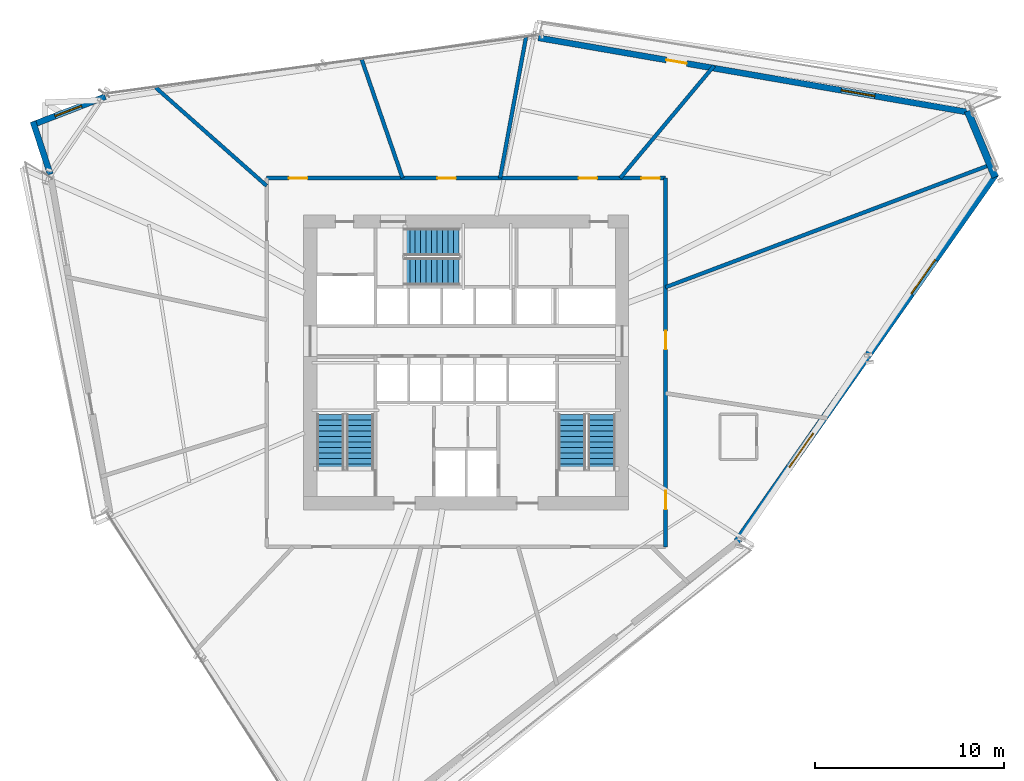
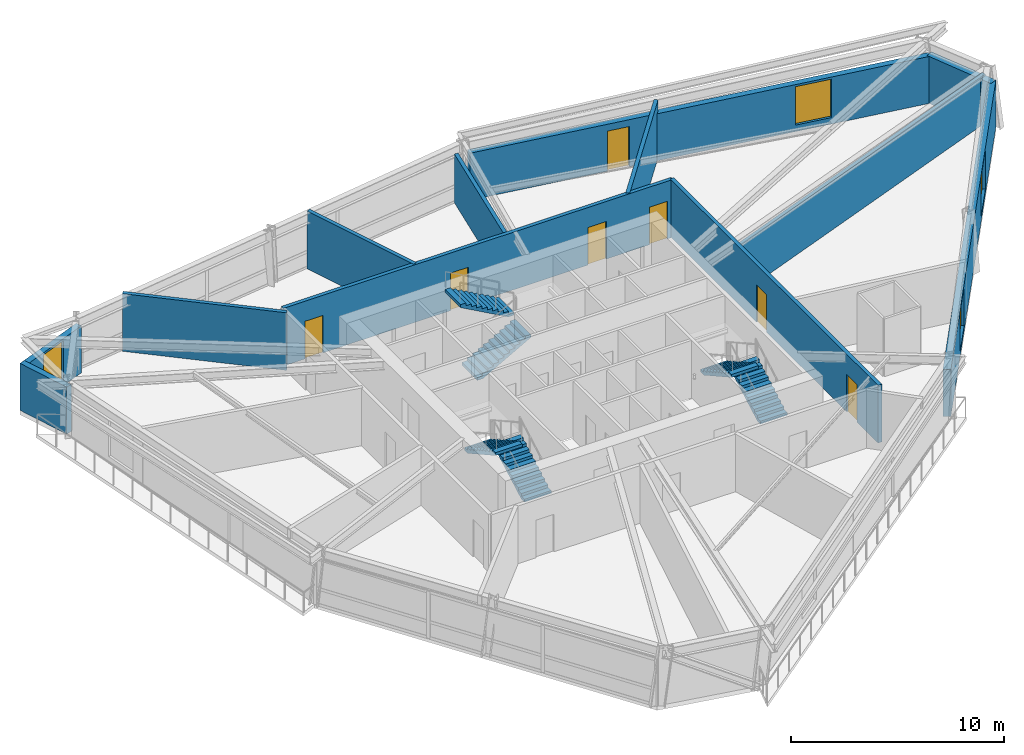
# One storey, part 13 of 16: 12 walls, 7 doors, 6 stair flights, 4 windows, 11 openings, 3 elements without a shape of their own.
"""IFC4 building model written with IfcOpenShell, lengths in metres."""

from ifc_helpers import new_model, si_unit, direction, frame, frame_2d, origin, place, context, subcontext, project, spatial, polyline, rectangle, outline, extrude, source, transform, mapped, material, layer, layer_set, type_object, type_shapes, element, fill, aggregate, save


model = new_model("IFC4")

# Units and contexts
model_context = context("Model", 3, precision=1e-05, world=origin(), true_north=direction((0.0, 1.0)))
body_context = subcontext(model_context, "Body", "Model", "MODEL_VIEW")
ifc_project = project(units=[si_unit("LENGTHUNIT", "METRE"), si_unit("AREAUNIT", "SQUARE_METRE"), si_unit("VOLUMEUNIT", "CUBIC_METRE"), si_unit("PLANEANGLEUNIT", "RADIAN"), si_unit("MASSUNIT", "GRAM", prefix="KILO")], contexts=[model_context])

# Site, building, storey
site_placement = place(None, origin())
site = spatial("IfcSite", under=ifc_project, at=site_placement, CompositionType="ELEMENT")
building_placement = place(site_placement, origin())
building = spatial("IfcBuilding", under=site, at=building_placement, Name="Olszyna Solenne Hotel", CompositionType="ELEMENT")
storey_placement = place(building_placement, frame((0.0, 0.0, 127.0)))
storey = spatial("IfcBuildingStorey", under=building, at=storey_placement, Name="L33", CompositionType="ELEMENT", Elevation=127.0)

# Wall
ifc_material_1 = material(Name="Precast concrete C45/55", Category="concrete")
ifc_layer_1 = layer(ifc_material_1, 0.320068359375, Name="Precast concrete C45/55")
ifc_layer_set_1 = layer_set([ifc_layer_1], Name="Precast concrete C45/55")
wall_type_1 = type_object("IfcWallType", Name="WL-EX320", PredefinedType="SOLIDWALL", material=ifc_layer_set_1)
wall_1_placement = place(storey_placement, frame((16.0087890625, 36.552001953125, 0.0), z_axis=(0.0, 0.0, 1.0), x_axis=(-0.313681912959, 0.949528123587, 0.0)))
element("IfcWall", 1, at=wall_1_placement, inside=storey, type_object=wall_type_1, Name="Exterior terracotta-precast frame wall WL-EX320 EW-L33-05", PredefinedType="SOLIDWALL", context=body_context, shape_type="SweptSolid", body=[
    extrude(rectangle(XDim=2.935791015625, YDim=0.320068359375, at=frame_2d((1.4677734375, 0.0))), origin(), (0.0, 0.0, 1.0), 2.69189453125),
])

# Wall, opening, window
wall_2_placement = place(storey_placement, frame((14.993896484375, 39.140380859375, 0.0), z_axis=(0.0, 0.0, 1.0), x_axis=(0.932586996551, 0.360945278212, 0.0)))
wall_2 = element("IfcWall", 2, at=wall_2_placement, inside=storey, type_object=wall_type_1, Name="Exterior terracotta-precast frame wall WL-EX320 EW-L33-06", PredefinedType="SOLIDWALL", context=body_context, shape_type="SweptSolid", body=[
    extrude(rectangle(XDim=4.20849609375, YDim=0.320068359375, at=frame_2d((2.104248046875, 0.0))), origin(), (0.0, 0.0, 1.0), 2.69189453125),
])
opening_1_placement = place(wall_2_placement, frame((1.35400390625, 0.0, 0.27197265625)))
opening_1 = element("IfcOpeningElement", 3, at=opening_1_placement, cuts=wall_2, Name="Opening WN-L33-192", PredefinedType="OPENING", context=body_context, shape_type="SweptSolid", body=[
    extrude(rectangle(XDim=1.5, YDim=2.300048828125, at=frame_2d((0.75, 1.14990234375))), frame((0.0, 0.169921875, 0.0), z_axis=(0.0, -1.0, 0.0), x_axis=(1.0, 0.0, 0.0)), (0.0, 0.0, 1.0), 0.340087890625),
])
ifc_material_2 = material(Name="Low-E triple glazing", Category="glass")
window_type_1 = type_object("IfcWindowType", Name="WN-CH1", PartitioningType="SINGLE_PANEL", PredefinedType="WINDOW", material=ifc_material_2)
shared_shape_1 = source(origin(), body_context, "Body", "SweptSolid", [
    extrude(rectangle(XDim=1.5, YDim=2.300048828125, at=frame_2d((0.75, 1.14990234375))), frame((0.0, 0.030029296875, 0.0), z_axis=(0.0, -1.0, 0.0), x_axis=(1.0, 0.0, 0.0)), (0.0, 0.0, 1.0), 0.06005859375),
])
type_shapes(window_type_1, [shared_shape_1])
window_1_placement = place(opening_1_placement, origin())
window_1 = element("IfcWindow", 4, at=window_1_placement, inside=storey, type_object=window_type_1, Name="Exterior facade window WN-CH1 WN-L33-192", OverallHeight=2.300048828125, OverallWidth=1.5, PartitioningType="SINGLE_PANEL", PredefinedType="WINDOW", context=body_context, shape_type="MappedRepresentation", body=[
    mapped(shared_shape_1, transform((0.0, 0.0, 0.0), x_axis=(1.0, 0.0, 0.0), y_axis=(0.0, 1.0, 0.0), z_axis=(0.0, 0.0, 1.0), scale=1.0)),
])
fill(opening_1, window_1)

# Wall, openings, door, window
wall_3_placement = place(storey_placement, frame((41.8203125, 43.770751953125, 0.0), z_axis=(0.0, 0.0, 1.0), x_axis=(0.98534400913, -0.170578966088, 0.0)))
wall_3 = element("IfcWall", 5, at=wall_3_placement, inside=storey, type_object=wall_type_1, Name="Exterior terracotta-precast frame wall WL-EX320 EW-L33-08", PredefinedType="SOLIDWALL", context=body_context, shape_type="SweptSolid", body=[
    extrude(rectangle(XDim=23.19775390625, YDim=0.320068359375, at=frame_2d((11.598876953125, 0.0))), origin(), (0.0, 0.0, 1.0), 2.69189453125),
])
opening_2_placement = place(wall_3_placement, frame((6.873046875, 0.0, 0.0)))
opening_2 = element("IfcOpeningElement", 6, at=opening_2_placement, cuts=wall_3, Name="Opening LDG-L33-1", PredefinedType="OPENING", context=body_context, shape_type="SweptSolid", body=[
    extrude(rectangle(XDim=1.10009765625, YDim=2.300048828125, at=frame_2d((0.550048828125, 1.14990234375))), frame((0.0, 0.169921875, 0.0), z_axis=(0.0, -1.0, 0.0), x_axis=(1.0, 0.0, 0.0)), (0.0, 0.0, 1.0), 0.340087890625),
])
opening_3_placement = place(wall_3_placement, frame((16.26611328125, 0.0, 0.3720703125)))
opening_3 = element("IfcOpeningElement", 7, at=opening_3_placement, cuts=wall_3, Name="Opening WN-L33-193", PredefinedType="OPENING", context=body_context, shape_type="SweptSolid", body=[
    extrude(rectangle(XDim=1.800048828125, YDim=2.199951171875, at=frame_2d((0.89990234375, 1.10009765625))), frame((0.0, 0.169921875, 0.0), z_axis=(0.0, -1.0, 0.0), x_axis=(1.0, 0.0, 0.0)), (0.0, 0.0, 1.0), 0.340087890625),
])
ifc_material_3 = material(Name="Anodised bronze aluminium", Category="aluminium")
door_type_1 = type_object("IfcDoorType", Name="DR-LG1", OperationType="NOTDEFINED", PredefinedType="DOOR", material=ifc_material_3)
shared_shape_2 = source(origin(), body_context, "Body", "SweptSolid", [
    extrude(rectangle(XDim=1.10009765625, YDim=2.300048828125, at=frame_2d((0.550048828125, 1.14990234375))), frame((0.0, 0.02490234375, 0.0), z_axis=(0.0, -1.0, 0.0), x_axis=(1.0, 0.0, 0.0)), (0.0, 0.0, 1.0), 0.050048828125),
])
type_shapes(door_type_1, [shared_shape_2])
door_1_placement = place(opening_2_placement, origin())
door_1 = element("IfcDoor", 8, at=door_1_placement, inside=storey, type_object=door_type_1, Name="Exterior loggia balcony door DR-LG1 LDG-L33-1", OperationType="SINGLE_SWING_LEFT", OverallHeight=2.300048828125, OverallWidth=1.10009765625, PredefinedType="DOOR", context=body_context, shape_type="MappedRepresentation", body=[
    mapped(shared_shape_2, transform((0.0, 0.0, 0.0), x_axis=(1.0, 0.0, 0.0), y_axis=(0.0, 1.0, 0.0), z_axis=(0.0, 0.0, 1.0), scale=1.0)),
])
fill(opening_2, door_1)
window_type_2 = type_object("IfcWindowType", Name="WN-HT1", PartitioningType="SINGLE_PANEL", PredefinedType="WINDOW", material=ifc_material_2)
shared_shape_3 = source(origin(), body_context, "Body", "SweptSolid", [
    extrude(rectangle(XDim=1.800048828125, YDim=2.199951171875, at=frame_2d((0.89990234375, 1.10009765625))), frame((0.0, 0.030029296875, 0.0), z_axis=(0.0, -1.0, 0.0), x_axis=(1.0, 0.0, 0.0)), (0.0, 0.0, 1.0), 0.06005859375),
])
type_shapes(window_type_2, [shared_shape_3])
window_2_placement = place(opening_3_placement, origin())
window_2 = element("IfcWindow", 9, at=window_2_placement, inside=storey, type_object=window_type_2, Name="Loggia room window WN-HT1 WN-L33-193", OverallHeight=2.199951171875, OverallWidth=1.800048828125, PartitioningType="SINGLE_PANEL", PredefinedType="WINDOW", context=body_context, shape_type="MappedRepresentation", body=[
    mapped(shared_shape_3, transform((0.0, 0.0, 0.0), x_axis=(1.0, 0.0, 0.0), y_axis=(0.0, 1.0, 0.0), z_axis=(0.0, 0.0, 1.0), scale=1.0)),
])
fill(opening_3, window_2)

# Wall
ifc_material_4 = material(Name="Terracotta cladding on precast concrete C45/55", Category="masonry")
ifc_layer_2 = layer(ifc_material_4, 0.3798828125, Name="Terracotta cladding on precast concrete C45/55")
ifc_layer_set_2 = layer_set([ifc_layer_2], Name="Terracotta cladding on precast concrete C45/55")
wall_type_2 = type_object("IfcWallType", Name="WL-EX380", PredefinedType="SOLIDWALL", material=ifc_layer_set_2)
wall_4_placement = place(storey_placement, frame((64.52978515625, 39.898193359375, 0.0), z_axis=(0.0, 0.0, 1.0), x_axis=(0.38513691565, -0.92285944553, 0.0)))
element("IfcWall", 10, at=wall_4_placement, inside=storey, type_object=wall_type_2, Name="Exterior terracotta-precast frame wall WL-EX380 EW-L33-09", PredefinedType="SOLIDWALL", context=body_context, shape_type="SweptSolid", body=[
    extrude(rectangle(XDim=3.788818359375, YDim=0.3798828125, at=frame_2d((1.89453125, 0.0))), origin(), (0.0, 0.0, 1.0), 2.69189453125),
])

# Wall, openings, windows
wall_5_placement = place(storey_placement, frame((66.0087890625, 36.583984375, 0.0), z_axis=(0.0, 0.0, 1.0), x_axis=(-0.574933262146, -0.818200308041, 0.0)))
wall_5 = element("IfcWall", 11, at=wall_5_placement, inside=storey, type_object=wall_type_2, Name="Exterior terracotta-precast frame wall WL-EX380 EW-L33-10", PredefinedType="SOLIDWALL", context=body_context, shape_type="SweptSolid", body=[
    extrude(rectangle(XDim=23.7900390625, YDim=0.3798828125, at=frame_2d((11.89501953125, 0.0))), origin(), (0.0, 0.0, 1.0), 2.69189453125),
])
opening_4_placement = place(wall_5_placement, frame((5.56103515625, 0.0, 0.322021484375)))
opening_4 = element("IfcOpeningElement", 12, at=opening_4_placement, cuts=wall_5, Name="Opening WN-L33-194", PredefinedType="OPENING", context=body_context, shape_type="SweptSolid", body=[
    extrude(rectangle(XDim=2.199951171875, YDim=2.25, at=frame_2d((1.10009765625, 1.125))), frame((0.0, 0.199951171875, 0.0), z_axis=(0.0, -1.0, 0.0), x_axis=(1.0, 0.0, 0.0)), (0.0, 0.0, 1.0), 0.39990234375),
])
opening_5_placement = place(wall_5_placement, frame((16.779052734375, 0.0, 0.322021484375)))
opening_5 = element("IfcOpeningElement", 13, at=opening_5_placement, cuts=wall_5, Name="Opening WN-L33-195", PredefinedType="OPENING", context=body_context, shape_type="SweptSolid", body=[
    extrude(rectangle(XDim=2.199951171875, YDim=2.25, at=frame_2d((1.10009765625, 1.125))), frame((0.0, 0.199951171875, 0.0), z_axis=(0.0, -1.0, 0.0), x_axis=(1.0, 0.0, 0.0)), (0.0, 0.0, 1.0), 0.39990234375),
])
window_type_3 = type_object("IfcWindowType", Name="WN-HT2", PartitioningType="SINGLE_PANEL", PredefinedType="WINDOW", material=ifc_material_2)
shared_shape_4 = source(origin(), body_context, "Body", "SweptSolid", [
    extrude(rectangle(XDim=2.199951171875, YDim=2.25, at=frame_2d((1.10009765625, 1.125))), frame((0.0, 0.030029296875, 0.0), z_axis=(0.0, -1.0, 0.0), x_axis=(1.0, 0.0, 0.0)), (0.0, 0.0, 1.0), 0.06005859375),
])
type_shapes(window_type_3, [shared_shape_4])
window_3_placement = place(opening_4_placement, origin())
window_3 = element("IfcWindow", 14, at=window_3_placement, inside=storey, type_object=window_type_3, Name="Exterior facade window WN-HT2 WN-L33-194", OverallHeight=2.25, OverallWidth=2.199951171875, PartitioningType="SINGLE_PANEL", PredefinedType="WINDOW", context=body_context, shape_type="MappedRepresentation", body=[
    mapped(shared_shape_4, transform((0.0, 0.0, 0.0), x_axis=(1.0, 0.0, 0.0), y_axis=(0.0, 1.0, 0.0), z_axis=(0.0, 0.0, 1.0), scale=1.0)),
])
fill(opening_4, window_3)
window_4_placement = place(opening_5_placement, origin())
window_4 = element("IfcWindow", 15, at=window_4_placement, inside=storey, type_object=window_type_3, Name="Exterior facade window WN-HT2 WN-L33-195", OverallHeight=2.25, OverallWidth=2.199951171875, PartitioningType="SINGLE_PANEL", PredefinedType="WINDOW", context=body_context, shape_type="MappedRepresentation", body=[
    mapped(shared_shape_4, transform((0.0, 0.0, 0.0), x_axis=(1.0, 0.0, 0.0), y_axis=(0.0, 1.0, 0.0), z_axis=(0.0, 0.0, 1.0), scale=1.0)),
])
fill(opening_5, window_4)

# Walls
ifc_material_5 = material(Name="Acoustic gypsum partition", Category="gypsum")
ifc_layer_3 = layer(ifc_material_5, 0.199951171875, Name="Acoustic gypsum partition")
ifc_layer_set_3 = layer_set([ifc_layer_3], Name="Acoustic gypsum partition")
wall_type_3 = type_object("IfcWallType", Name="WL-PT200", PredefinedType="PARTITIONING", material=ifc_layer_set_3)
wall_6_placement = place(storey_placement, frame((48.550048828125, 30.576904296875, 0.0), z_axis=(0.0, 0.0, 1.0), x_axis=(0.935722269148, 0.352737629154, 0.0)))
element("IfcWall", 16, at=wall_6_placement, inside=storey, type_object=wall_type_3, Name="Interior acoustic partition WL-PT200 PW-L33-1914", PredefinedType="PARTITIONING", context=body_context, shape_type="SweptSolid", body=[
    extrude(rectangle(XDim=18.50830078125, YDim=0.199951171875, at=frame_2d((9.254150390625, 0.0))), origin(), (0.0, 0.0, 1.0), 2.794921875),
])
wall_7_placement = place(storey_placement, frame((46.149658203125, 36.35009765625, 0.0), z_axis=(0.0, 0.0, 1.0), x_axis=(0.641321489546, 0.767272276996, 0.0)))
element("IfcWall", 17, at=wall_7_placement, inside=storey, type_object=wall_type_3, Name="Interior acoustic partition WL-PT200 PW-L33-1915", PredefinedType="PARTITIONING", context=body_context, shape_type="SweptSolid", body=[
    extrude(rectangle(XDim=7.745849609375, YDim=0.199951171875, at=frame_2d((3.873046875, 0.0))), origin(), (0.0, 0.0, 1.0), 3.300048828125),
])
wall_8_placement = place(storey_placement, frame((39.7958984375, 36.35009765625, 0.0), z_axis=(0.0, 0.0, 1.0), x_axis=(0.181143577678, 0.983456661102, 0.0)))
element("IfcWall", 18, at=wall_8_placement, inside=storey, type_object=wall_type_3, Name="Interior acoustic partition WL-PT200 PW-L33-1916", PredefinedType="PARTITIONING", context=body_context, shape_type="SweptSolid", body=[
    extrude(rectangle(XDim=7.581298828125, YDim=0.199951171875, at=frame_2d((3.79052734375, 0.0))), origin(), (0.0, 0.0, 1.0), 2.784912109375),
])
wall_9_placement = place(storey_placement, frame((34.639404296875, 36.35009765625, 0.0), z_axis=(0.0, 0.0, 1.0), x_axis=(-0.325876208825, 0.945412447835, 0.0)))
element("IfcWall", 19, at=wall_9_placement, inside=storey, type_object=wall_type_3, Name="Interior acoustic partition WL-PT200 PW-L33-1917", PredefinedType="PARTITIONING", context=body_context, shape_type="SweptSolid", body=[
    extrude(rectangle(XDim=6.638427734375, YDim=0.199951171875, at=frame_2d((3.3193359375, 0.0))), origin(), (0.0, 0.0, 1.0), 3.300048828125),
])
wall_10_placement = place(storey_placement, frame((27.449951171875, 35.94287109375, 0.0), z_axis=(0.0, 0.0, 1.0), x_axis=(-0.748653900021, 0.662961038059, 0.0)))
element("IfcWall", 20, at=wall_10_placement, inside=storey, type_object=wall_type_3, Name="Interior acoustic partition WL-PT200 PW-L33-1918", PredefinedType="PARTITIONING", context=body_context, shape_type="SweptSolid", body=[
    extrude(rectangle(XDim=7.84912109375, YDim=0.199951171875, at=frame_2d((3.924560546875, 0.0))), origin(), (0.0, 0.0, 1.0), 3.300048828125),
])

# Wall, openings, doors
wall_11_placement = place(storey_placement, frame((27.449951171875, 36.35009765625, 0.0), z_axis=(0.0, 0.0, 1.0), x_axis=(1.0, 0.0, 0.0)))
wall_11 = element("IfcWall", 21, at=wall_11_placement, inside=storey, type_object=wall_type_3, Name="Interior acoustic partition WL-PT200 PW-L33-1931", PredefinedType="PARTITIONING", context=body_context, shape_type="SweptSolid", body=[
    extrude(rectangle(XDim=21.10009765625, YDim=0.199951171875, at=frame_2d((10.550048828125, 0.0))), origin(), (0.0, 0.0, 1.0), 3.300048828125),
])
opening_6_placement = place(wall_11_placement, frame((19.820068359375, 0.0, 0.0)))
opening_6 = element("IfcOpeningElement", 22, at=opening_6_placement, cuts=wall_11, Name="Opening DR-L33-0465", PredefinedType="OPENING", context=body_context, shape_type="SweptSolid", body=[
    extrude(rectangle(XDim=0.97998046875, YDim=2.14990234375, at=frame_2d((0.489990234375, 1.074951171875))), frame((0.0, 0.10986328125, 0.0), z_axis=(0.0, -1.0, 0.0), x_axis=(1.0, 0.0, 0.0)), (0.0, 0.0, 1.0), 0.219970703125),
])
opening_7_placement = place(wall_11_placement, frame((16.50390625, 0.0, 0.0)))
opening_7 = element("IfcOpeningElement", 23, at=opening_7_placement, cuts=wall_11, Name="Opening DR-L33-0466", PredefinedType="OPENING", context=body_context, shape_type="SweptSolid", body=[
    extrude(rectangle(XDim=0.97998046875, YDim=2.14990234375, at=frame_2d((0.489990234375, 1.074951171875))), frame((0.0, 0.10986328125, 0.0), z_axis=(0.0, -1.0, 0.0), x_axis=(1.0, 0.0, 0.0)), (0.0, 0.0, 1.0), 0.219970703125),
])
opening_8_placement = place(wall_11_placement, frame((9.033935546875, 0.0, 0.0)))
opening_8 = element("IfcOpeningElement", 24, at=opening_8_placement, cuts=wall_11, Name="Opening DR-L33-0467", PredefinedType="OPENING", context=body_context, shape_type="SweptSolid", body=[
    extrude(rectangle(XDim=0.97998046875, YDim=2.14990234375, at=frame_2d((0.489990234375, 1.074951171875))), frame((0.0, 0.10986328125, 0.0), z_axis=(0.0, -1.0, 0.0), x_axis=(1.0, 0.0, 0.0)), (0.0, 0.0, 1.0), 0.219970703125),
])
opening_9_placement = place(wall_11_placement, frame((1.169921875, 0.0, 0.0)))
opening_9 = element("IfcOpeningElement", 25, at=opening_9_placement, cuts=wall_11, Name="Opening DR-L33-0468", PredefinedType="OPENING", context=body_context, shape_type="SweptSolid", body=[
    extrude(rectangle(XDim=0.97998046875, YDim=2.14990234375, at=frame_2d((0.489990234375, 1.074951171875))), frame((0.0, 0.10986328125, 0.0), z_axis=(0.0, -1.0, 0.0), x_axis=(1.0, 0.0, 0.0)), (0.0, 0.0, 1.0), 0.219970703125),
])
ifc_material_6 = material(Name="Timber hardwood", Category="wood")
door_type_2 = type_object("IfcDoorType", Name="DR-RM1", OperationType="NOTDEFINED", PredefinedType="DOOR", material=ifc_material_6)
shared_shape_5 = source(origin(), body_context, "Body", "SweptSolid", [
    extrude(rectangle(XDim=0.97998046875, YDim=2.14990234375, at=frame_2d((0.489990234375, 1.074951171875))), frame((0.0, 0.02490234375, 0.0), z_axis=(0.0, -1.0, 0.0), x_axis=(1.0, 0.0, 0.0)), (0.0, 0.0, 1.0), 0.050048828125),
])
type_shapes(door_type_2, [shared_shape_5])
door_2_placement = place(opening_6_placement, origin())
door_2 = element("IfcDoor", 26, at=door_2_placement, inside=storey, type_object=door_type_2, Name="Private Business Office Entrance Door DR-L33-0465", OperationType="SINGLE_SWING_LEFT", OverallHeight=2.14990234375, OverallWidth=0.97998046875, PredefinedType="DOOR", context=body_context, shape_type="MappedRepresentation", body=[
    mapped(shared_shape_5, transform((0.0, 0.0, 0.0), x_axis=(1.0, 0.0, 0.0), y_axis=(0.0, 1.0, 0.0), z_axis=(0.0, 0.0, 1.0), scale=1.0)),
])
fill(opening_6, door_2)
door_3_placement = place(opening_7_placement, origin())
door_3 = element("IfcDoor", 27, at=door_3_placement, inside=storey, type_object=door_type_2, Name="Private Business Office Entrance Door DR-L33-0466", OperationType="SINGLE_SWING_RIGHT", OverallHeight=2.14990234375, OverallWidth=0.97998046875, PredefinedType="DOOR", context=body_context, shape_type="MappedRepresentation", body=[
    mapped(shared_shape_5, transform((0.0, 0.0, 0.0), x_axis=(1.0, 0.0, 0.0), y_axis=(0.0, 1.0, 0.0), z_axis=(0.0, 0.0, 1.0), scale=1.0)),
])
fill(opening_7, door_3)
door_4_placement = place(opening_8_placement, origin())
door_4 = element("IfcDoor", 28, at=door_4_placement, inside=storey, type_object=door_type_2, Name="Private Business Office Entrance Door DR-L33-0467", OperationType="SINGLE_SWING_LEFT", OverallHeight=2.14990234375, OverallWidth=0.97998046875, PredefinedType="DOOR", context=body_context, shape_type="MappedRepresentation", body=[
    mapped(shared_shape_5, transform((0.0, 0.0, 0.0), x_axis=(1.0, 0.0, 0.0), y_axis=(0.0, 1.0, 0.0), z_axis=(0.0, 0.0, 1.0), scale=1.0)),
])
fill(opening_8, door_4)
door_5_placement = place(opening_9_placement, origin())
door_5 = element("IfcDoor", 29, at=door_5_placement, inside=storey, type_object=door_type_2, Name="Private Business Office Entrance Door DR-L33-0468", OperationType="SINGLE_SWING_RIGHT", OverallHeight=2.14990234375, OverallWidth=0.97998046875, PredefinedType="DOOR", context=body_context, shape_type="MappedRepresentation", body=[
    mapped(shared_shape_5, transform((0.0, 0.0, 0.0), x_axis=(1.0, 0.0, 0.0), y_axis=(0.0, 1.0, 0.0), z_axis=(0.0, 0.0, 1.0), scale=1.0)),
])
fill(opening_9, door_5)

wall_12_placement = place(storey_placement, frame((48.550048828125, 16.85009765625, 0.0), z_axis=(0.0, 0.0, 1.0), x_axis=(0.0, 1.0, 0.0)))
wall_12 = element("IfcWall", 30, at=wall_12_placement, inside=storey, type_object=wall_type_3, Name="Interior acoustic partition WL-PT200 PW-L33-1932", PredefinedType="PARTITIONING", context=body_context, shape_type="SweptSolid", body=[
    extrude(rectangle(XDim=19.5, YDim=0.199951171875, at=frame_2d((9.75, 0.0))), origin(), (0.0, 0.0, 1.0), 3.300048828125),
])
opening_10_placement = place(wall_12_placement, frame((10.443115234375, 0.0, 0.0)))
opening_10 = element("IfcOpeningElement", 31, at=opening_10_placement, cuts=wall_12, Name="Opening DR-L33-0469", PredefinedType="OPENING", context=body_context, shape_type="SweptSolid", body=[
    extrude(rectangle(XDim=0.97998046875, YDim=2.14990234375, at=frame_2d((0.489990234375, 1.074951171875))), frame((0.0, 0.10986328125, 0.0), z_axis=(0.0, -1.0, 0.0), x_axis=(1.0, 0.0, 0.0)), (0.0, 0.0, 1.0), 0.219970703125),
])
opening_11_placement = place(wall_12_placement, frame((1.97509765625, 0.0, 0.0)))
opening_11 = element("IfcOpeningElement", 32, at=opening_11_placement, cuts=wall_12, Name="Opening DR-L33-0470", PredefinedType="OPENING", context=body_context, shape_type="SweptSolid", body=[
    extrude(rectangle(XDim=0.97998046875, YDim=2.14990234375, at=frame_2d((0.489990234375, 1.074951171875))), frame((0.0, 0.10986328125, 0.0), z_axis=(0.0, -1.0, 0.0), x_axis=(1.0, 0.0, 0.0)), (0.0, 0.0, 1.0), 0.219970703125),
])
door_6_placement = place(opening_10_placement, origin())
door_6 = element("IfcDoor", 33, at=door_6_placement, inside=storey, type_object=door_type_2, Name="Private Business Office Entrance Door DR-L33-0469", OperationType="SINGLE_SWING_RIGHT", OverallHeight=2.14990234375, OverallWidth=0.97998046875, PredefinedType="DOOR", context=body_context, shape_type="MappedRepresentation", body=[
    mapped(shared_shape_5, transform((0.0, 0.0, 0.0), x_axis=(1.0, 0.0, 0.0), y_axis=(0.0, 1.0, 0.0), z_axis=(0.0, 0.0, 1.0), scale=1.0)),
])
fill(opening_10, door_6)
door_7_placement = place(opening_11_placement, origin())
door_7 = element("IfcDoor", 34, at=door_7_placement, inside=storey, type_object=door_type_2, Name="Executive Reading Salon Entrance Door DR-L33-0470", OperationType="SINGLE_SWING_LEFT", OverallHeight=2.14990234375, OverallWidth=0.97998046875, PredefinedType="DOOR", context=body_context, shape_type="MappedRepresentation", body=[
    mapped(shared_shape_5, transform((0.0, 0.0, 0.0), x_axis=(1.0, 0.0, 0.0), y_axis=(0.0, 1.0, 0.0), z_axis=(0.0, 0.0, 1.0), scale=1.0)),
])
fill(opening_11, door_7)

# Stair, stair flights
ifc_material_7 = material(Name="Concrete C40/50", Category="concrete")
stair_type = type_object("IfcStairType", Name="STR-C1", PredefinedType="TWO_QUARTER_WINDING_STAIR", material=ifc_material_7)
stair_1_placement = place(storey_placement, origin())
stair_1 = element("IfcStair", 35, at=stair_1_placement, inside=storey, type_object=stair_type, Name="L33 ST1", PredefinedType="TWO_QUARTER_WINDING_STAIR")
stair_flight_type = type_object("IfcStairFlightType", Name="FLT-C1", PredefinedType="STRAIGHT", material=ifc_material_7)
stair_flight_1_placement = place(storey_placement, frame((32.39501953125, 20.949951171875, 0.0), z_axis=(0.0, 0.0, 1.0), x_axis=(0.0, 1.0, 0.0)))
stair_flight_1 = element("IfcStairFlight", 36, at=stair_flight_1_placement, type_object=stair_flight_type, Name="ST1 flight 1", NumberOfRisers=11, NumberOfTreads=10, PredefinedType="STRAIGHT", RiserHeight=0.161363636, TreadLength=0.29, context=body_context, shape_type="SweptSolid", body=[
    extrude(outline(polyline([(0.0, 0.0), (0.0, 0.161376953125), (0.2900390625, 0.161376953125), (0.2900390625, 0.32275390625), (0.580078125, 0.32275390625), (0.580078125, 0.484130859375), (0.8701171875, 0.484130859375), (0.8701171875, 0.6455078125), (1.159912109375, 0.6455078125), (1.159912109375, 0.806884765625), (1.449951171875, 0.806884765625), (1.449951171875, 0.96826171875), (1.739990234375, 0.96826171875), (1.739990234375, 1.129638671875), (2.030029296875, 1.129638671875), (2.030029296875, 1.291015625), (2.320068359375, 1.291015625), (2.320068359375, 1.452392578125), (2.610107421875, 1.452392578125), (2.610107421875, 1.613525390625), (2.89990234375, 1.613525390625), (2.89990234375, 1.77490234375), (2.89990234375, 1.442138671875), (0.308349609375, 0.0), (0.0, 0.0)])), frame((0.0, 0.72509765625, 0.0), z_axis=(0.0, -1.0, 0.0), x_axis=(1.0, 0.0, 0.0)), (0.0, 0.0, 1.0), 1.449951171875),
])
stair_flight_2_placement = place(storey_placement, frame((30.824951171875, 23.85009765625, 1.77490234375), z_axis=(0.0, 0.0, 1.0), x_axis=(0.0, -1.0, 0.0)))
stair_flight_2 = element("IfcStairFlight", 37, at=stair_flight_2_placement, type_object=stair_flight_type, Name="ST1 flight 2", NumberOfRisers=11, NumberOfTreads=10, PredefinedType="STRAIGHT", RiserHeight=0.161363636, TreadLength=0.29, context=body_context, shape_type="SweptSolid", body=[
    extrude(outline(polyline([(0.0, 0.0), (0.0, 0.161376953125), (0.2900390625, 0.161376953125), (0.2900390625, 0.32275390625), (0.580078125, 0.32275390625), (0.580078125, 0.484130859375), (0.8701171875, 0.484130859375), (0.8701171875, 0.6455078125), (1.159912109375, 0.6455078125), (1.159912109375, 0.806884765625), (1.449951171875, 0.806884765625), (1.449951171875, 0.96826171875), (1.739990234375, 0.96826171875), (1.739990234375, 1.129638671875), (2.030029296875, 1.129638671875), (2.030029296875, 1.291015625), (2.320068359375, 1.291015625), (2.320068359375, 1.452392578125), (2.610107421875, 1.452392578125), (2.610107421875, 1.613525390625), (2.89990234375, 1.613525390625), (2.89990234375, 1.77490234375), (2.89990234375, 1.442138671875), (0.308349609375, 0.0), (0.0, 0.0)])), frame((0.0, 0.72509765625, 0.0), z_axis=(0.0, -1.0, 0.0), x_axis=(1.0, 0.0, 0.0)), (0.0, 0.0, 1.0), 1.449951171875),
])
aggregate(stair_1, [stair_flight_1, stair_flight_2])

stair_2_placement = place(storey_placement, origin())
stair_2 = element("IfcStair", 38, at=stair_2_placement, inside=storey, type_object=stair_type, Name="L33 ST2", PredefinedType="TWO_QUARTER_WINDING_STAIR")
stair_flight_3_placement = place(storey_placement, frame((45.175048828125, 20.949951171875, 0.0), z_axis=(0.0, 0.0, 1.0), x_axis=(0.0, 1.0, 0.0)))
stair_flight_3 = element("IfcStairFlight", 39, at=stair_flight_3_placement, type_object=stair_flight_type, Name="ST2 flight 1", NumberOfRisers=11, NumberOfTreads=10, PredefinedType="STRAIGHT", RiserHeight=0.161363636, TreadLength=0.29, context=body_context, shape_type="SweptSolid", body=[
    extrude(outline(polyline([(0.0, 0.0), (0.0, 0.161376953125), (0.2900390625, 0.161376953125), (0.2900390625, 0.32275390625), (0.580078125, 0.32275390625), (0.580078125, 0.484130859375), (0.8701171875, 0.484130859375), (0.8701171875, 0.6455078125), (1.159912109375, 0.6455078125), (1.159912109375, 0.806884765625), (1.449951171875, 0.806884765625), (1.449951171875, 0.96826171875), (1.739990234375, 0.96826171875), (1.739990234375, 1.129638671875), (2.030029296875, 1.129638671875), (2.030029296875, 1.291015625), (2.320068359375, 1.291015625), (2.320068359375, 1.452392578125), (2.610107421875, 1.452392578125), (2.610107421875, 1.613525390625), (2.89990234375, 1.613525390625), (2.89990234375, 1.77490234375), (2.89990234375, 1.442138671875), (0.308349609375, 0.0), (0.0, 0.0)])), frame((0.0, 0.72509765625, 0.0), z_axis=(0.0, -1.0, 0.0), x_axis=(1.0, 0.0, 0.0)), (0.0, 0.0, 1.0), 1.449951171875),
])
stair_flight_4_placement = place(storey_placement, frame((43.60498046875, 23.85009765625, 1.77490234375), z_axis=(0.0, 0.0, 1.0), x_axis=(0.0, -1.0, 0.0)))
stair_flight_4 = element("IfcStairFlight", 40, at=stair_flight_4_placement, type_object=stair_flight_type, Name="ST2 flight 2", NumberOfRisers=11, NumberOfTreads=10, PredefinedType="STRAIGHT", RiserHeight=0.161363636, TreadLength=0.29, context=body_context, shape_type="SweptSolid", body=[
    extrude(outline(polyline([(0.0, 0.0), (0.0, 0.161376953125), (0.2900390625, 0.161376953125), (0.2900390625, 0.32275390625), (0.580078125, 0.32275390625), (0.580078125, 0.484130859375), (0.8701171875, 0.484130859375), (0.8701171875, 0.6455078125), (1.159912109375, 0.6455078125), (1.159912109375, 0.806884765625), (1.449951171875, 0.806884765625), (1.449951171875, 0.96826171875), (1.739990234375, 0.96826171875), (1.739990234375, 1.129638671875), (2.030029296875, 1.129638671875), (2.030029296875, 1.291015625), (2.320068359375, 1.291015625), (2.320068359375, 1.452392578125), (2.610107421875, 1.452392578125), (2.610107421875, 1.613525390625), (2.89990234375, 1.613525390625), (2.89990234375, 1.77490234375), (2.89990234375, 1.442138671875), (0.308349609375, 0.0), (0.0, 0.0)])), frame((0.0, 0.72509765625, 0.0), z_axis=(0.0, -1.0, 0.0), x_axis=(1.0, 0.0, 0.0)), (0.0, 0.0, 1.0), 1.449951171875),
])
aggregate(stair_2, [stair_flight_3, stair_flight_4])

stair_3_placement = place(storey_placement, origin())
stair_3 = element("IfcStair", 41, at=stair_3_placement, inside=storey, type_object=stair_type, Name="L33 ST3", PredefinedType="TWO_QUARTER_WINDING_STAIR")
stair_flight_5_placement = place(storey_placement, frame((34.72998046875, 31.405029296875, 0.0), z_axis=(0.0, 0.0, 1.0), x_axis=(1.0, 0.0, 0.0)))
stair_flight_5 = element("IfcStairFlight", 42, at=stair_flight_5_placement, type_object=stair_flight_type, Name="ST3 flight 1", NumberOfRisers=11, NumberOfTreads=10, PredefinedType="STRAIGHT", RiserHeight=0.161363636, TreadLength=0.29, context=body_context, shape_type="SweptSolid", body=[
    extrude(outline(polyline([(0.0, 0.0), (0.0, 0.161376953125), (0.2900390625, 0.161376953125), (0.2900390625, 0.32275390625), (0.580078125, 0.32275390625), (0.580078125, 0.484130859375), (0.8701171875, 0.484130859375), (0.8701171875, 0.6455078125), (1.159912109375, 0.6455078125), (1.159912109375, 0.806884765625), (1.449951171875, 0.806884765625), (1.449951171875, 0.96826171875), (1.739990234375, 0.96826171875), (1.739990234375, 1.129638671875), (2.030029296875, 1.129638671875), (2.030029296875, 1.291015625), (2.320068359375, 1.291015625), (2.320068359375, 1.452392578125), (2.610107421875, 1.452392578125), (2.610107421875, 1.613525390625), (2.89990234375, 1.613525390625), (2.89990234375, 1.77490234375), (2.89990234375, 1.442138671875), (0.308349609375, 0.0), (0.0, 0.0)])), frame((0.0, 0.72509765625, 0.0), z_axis=(0.0, -1.0, 0.0), x_axis=(1.0, 0.0, 0.0)), (0.0, 0.0, 1.0), 1.449951171875),
])
stair_flight_6_placement = place(storey_placement, frame((37.6298828125, 32.97509765625, 1.77490234375), z_axis=(0.0, 0.0, 1.0), x_axis=(-1.0, 0.0, 0.0)))
stair_flight_6 = element("IfcStairFlight", 43, at=stair_flight_6_placement, type_object=stair_flight_type, Name="ST3 flight 2", NumberOfRisers=11, NumberOfTreads=10, PredefinedType="STRAIGHT", RiserHeight=0.161363636, TreadLength=0.29, context=body_context, shape_type="SweptSolid", body=[
    extrude(outline(polyline([(0.0, 0.0), (0.0, 0.161376953125), (0.2900390625, 0.161376953125), (0.2900390625, 0.32275390625), (0.580078125, 0.32275390625), (0.580078125, 0.484130859375), (0.8701171875, 0.484130859375), (0.8701171875, 0.6455078125), (1.159912109375, 0.6455078125), (1.159912109375, 0.806884765625), (1.449951171875, 0.806884765625), (1.449951171875, 0.96826171875), (1.739990234375, 0.96826171875), (1.739990234375, 1.129638671875), (2.030029296875, 1.129638671875), (2.030029296875, 1.291015625), (2.320068359375, 1.291015625), (2.320068359375, 1.452392578125), (2.610107421875, 1.452392578125), (2.610107421875, 1.613525390625), (2.89990234375, 1.613525390625), (2.89990234375, 1.77490234375), (2.89990234375, 1.442138671875), (0.308349609375, 0.0), (0.0, 0.0)])), frame((0.0, 0.72509765625, 0.0), z_axis=(0.0, -1.0, 0.0), x_axis=(1.0, 0.0, 0.0)), (0.0, 0.0, 1.0), 1.449951171875),
])
aggregate(stair_3, [stair_flight_5, stair_flight_6])

save(model, "model.ifc")
